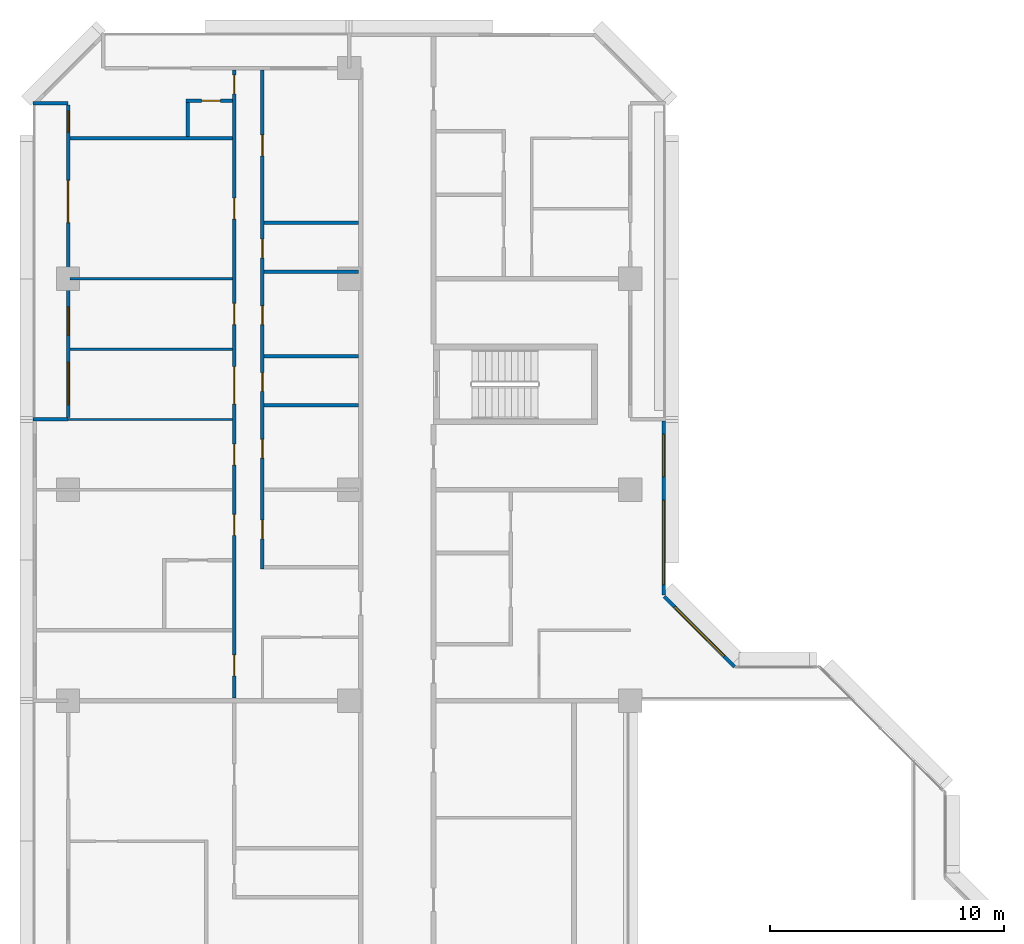
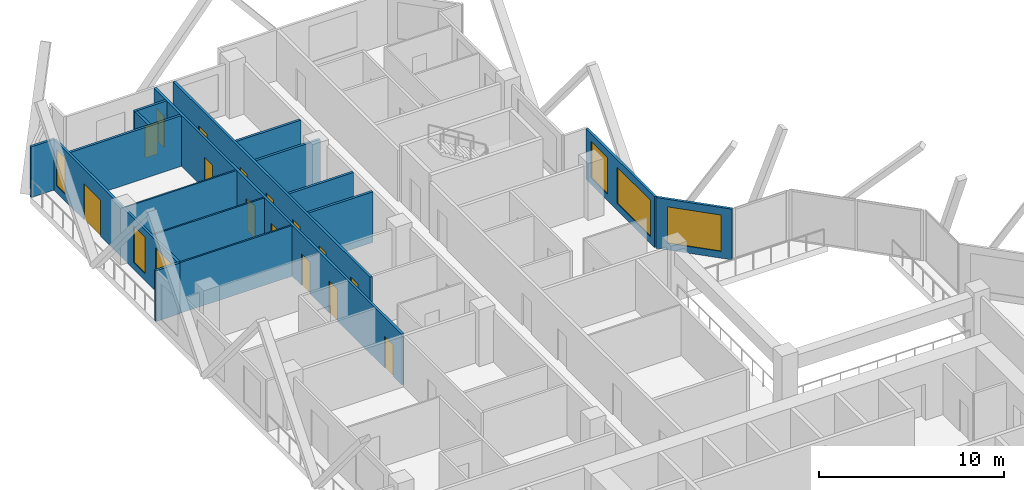
# One storey, part 10 of 15: 17 walls, 15 doors, 6 windows, 21 openings.
"""IFC4 building model written with IfcOpenShell, lengths in metres."""

from ifc_helpers import new_model, si_unit, direction, frame, frame_2d, origin, place, context, subcontext, project, spatial, rectangle, extrude, material, layer, layer_set, type_object, element, fill, save


model = new_model("IFC4")

# Units and contexts
model_context = context("Model", 3, precision=1e-05, world=origin(), true_north=direction((0.0, 1.0)))
body_context = subcontext(model_context, "Body", "Model", "MODEL_VIEW")
ifc_project = project(units=[si_unit("LENGTHUNIT", "METRE"), si_unit("AREAUNIT", "SQUARE_METRE"), si_unit("VOLUMEUNIT", "CUBIC_METRE"), si_unit("PLANEANGLEUNIT", "RADIAN"), si_unit("MASSUNIT", "GRAM", prefix="KILO")], contexts=[model_context])

# Site, building, storey
site_placement = place(None, origin())
site = spatial("IfcSite", under=ifc_project, at=site_placement, CompositionType="ELEMENT")
building_placement = place(site_placement, origin())
building = spatial("IfcBuilding", under=site, at=building_placement, Name="Chenar Terraces", CompositionType="ELEMENT")
storey_placement = place(building_placement, frame((0.0, 0.0, 121.89990234375)))
storey = spatial("IfcBuildingStorey", under=building, at=storey_placement, Name="L28", CompositionType="ELEMENT", Elevation=121.89990234375)

# Wall, openings, windows
ifc_material_1 = material(Name="Aluminium framed glazing", Category="aluminium")
ifc_layer_1 = layer(ifc_material_1, 0.14990234375)
ifc_layer_set_1 = layer_set([ifc_layer_1], Name="Aluminium framed glazing")
wall_type_1 = type_object("IfcWallType", Name="Glazed flush facade wall 150", PredefinedType="SOLIDWALL", material=ifc_layer_set_1)
wall_1_placement = place(storey_placement, frame((25.425048828125, 40.5, 0.0), z_axis=(0.0, 0.0, 1.0), x_axis=(0.0, 1.0, 0.0)))
wall_1 = element("IfcWall", 1, at=wall_1_placement, inside=storey, type_object=wall_type_1, Name="Glazed flush facade wall", PredefinedType="SOLIDWALL", context=body_context, shape_type="SweptSolid", body=[
    extrude(rectangle(XDim=7.425048828125, YDim=0.14990234375, at=frame_2d((3.71240234375, 0.0))), origin(), (0.0, 0.0, 1.0), 3.35009765625),
])
opening_1_placement = place(wall_1_placement, frame((0.449951171875, 0.0, 0.449951171875)))
opening_1 = element("IfcOpeningElement", 2, at=opening_1_placement, cuts=wall_1, Name="Opening W360x240", PredefinedType="OPENING", context=body_context, shape_type="SweptSolid", body=[
    extrude(rectangle(XDim=3.60009765625, YDim=2.39990234375, at=frame_2d((1.800048828125, 1.199951171875))), frame((0.0, 0.0849609375, 0.0), z_axis=(0.0, -1.0, 0.0), x_axis=(1.0, 0.0, 0.0)), (0.0, 0.0, 1.0), 0.169921875),
])
opening_2_placement = place(wall_1_placement, frame((5.0625, 0.0, 0.449951171875)))
opening_2 = element("IfcOpeningElement", 3, at=opening_2_placement, cuts=wall_1, Name="Opening W180x240", PredefinedType="OPENING", context=body_context, shape_type="SweptSolid", body=[
    extrude(rectangle(XDim=1.800048828125, YDim=2.39990234375, at=frame_2d((0.89990234375, 1.199951171875))), frame((0.0, 0.0849609375, 0.0), z_axis=(0.0, -1.0, 0.0), x_axis=(1.0, 0.0, 0.0)), (0.0, 0.0, 1.0), 0.169921875),
])
ifc_material_2 = material(Name="Low emissivity double glazing, aluminium frame", Category="aluminium")
window_type_1 = type_object("IfcWindowType", Name="Fixed light 1800 x 2400", PartitioningType="SINGLE_PANEL", PredefinedType="WINDOW", material=ifc_material_2)
window_1_placement = place(opening_2_placement, origin())
window_1 = element("IfcWindow", 4, at=window_1_placement, inside=storey, type_object=window_type_1, Name="Window", OverallHeight=2.39990234375, OverallWidth=1.800048828125, PartitioningType="SINGLE_PANEL", PredefinedType="WINDOW", context=body_context, shape_type="SweptSolid", body=[
    extrude(rectangle(XDim=1.800048828125, YDim=2.39990234375, at=frame_2d((0.89990234375, 1.199951171875))), frame((0.0, 0.030029296875, 0.0), z_axis=(0.0, -1.0, 0.0), x_axis=(1.0, 0.0, 0.0)), (0.0, 0.0, 1.0), 0.06005859375),
])
fill(opening_2, window_1)
ifc_material_3 = material(Name="Low emissivity double glazing, aluminium frame", Category="aluminium")
window_type_2 = type_object("IfcWindowType", Name="Fixed light 3600 x 2400", PartitioningType="SINGLE_PANEL", PredefinedType="WINDOW", material=ifc_material_3)
window_2_placement = place(opening_1_placement, origin())
window_2 = element("IfcWindow", 5, at=window_2_placement, inside=storey, type_object=window_type_2, Name="Window", OverallHeight=2.39990234375, OverallWidth=3.60009765625, PartitioningType="SINGLE_PANEL", PredefinedType="WINDOW", context=body_context, shape_type="SweptSolid", body=[
    extrude(rectangle(XDim=3.60009765625, YDim=2.39990234375, at=frame_2d((1.800048828125, 1.199951171875))), frame((0.0, 0.030029296875, 0.0), z_axis=(0.0, -1.0, 0.0), x_axis=(1.0, 0.0, 0.0)), (0.0, 0.0, 1.0), 0.06005859375),
])
fill(opening_1, window_2)

# Wall, openings, windows, door
ifc_material_4 = material(Name="Aluminium framed glazing", Category="aluminium")
ifc_layer_2 = layer(ifc_material_4, 0.14990234375)
ifc_layer_set_2 = layer_set([ifc_layer_2], Name="Aluminium framed glazing")
wall_type_2 = type_object("IfcWallType", Name="Glazed loggia back wall 150", PredefinedType="SOLIDWALL", material=ifc_layer_set_2)
wall_2_placement = place(storey_placement, frame((0.0, 61.425048828125, 0.0), z_axis=(0.0, 0.0, 1.0), x_axis=(0.0, -1.0, 0.0)))
wall_2 = element("IfcWall", 6, at=wall_2_placement, inside=storey, type_object=wall_type_2, Name="Glazed loggia back wall", PredefinedType="SOLIDWALL", context=body_context, shape_type="SweptSolid", body=[
    extrude(rectangle(XDim=13.35009765625, YDim=0.14990234375, at=frame_2d((6.675048828125, 0.0))), origin(), (0.0, 0.0, 1.0), 3.35009765625),
])
opening_3_placement = place(wall_2_placement, frame((0.262451171875, 0.0, 0.449951171875)))
opening_3 = element("IfcOpeningElement", 7, at=opening_3_placement, cuts=wall_2, Name="Opening W90x240", PredefinedType="OPENING", context=body_context, shape_type="SweptSolid", body=[
    extrude(rectangle(XDim=0.89990234375, YDim=2.39990234375, at=frame_2d((0.449951171875, 1.199951171875))), frame((0.0, 0.0849609375, 0.0), z_axis=(0.0, -1.0, 0.0), x_axis=(1.0, 0.0, 0.0)), (0.0, 0.0, 1.0), 0.169921875),
])
opening_4_placement = place(wall_2_placement, frame((3.22509765625, 0.0, 0.0)))
opening_4 = element("IfcOpeningElement", 8, at=opening_4_placement, cuts=wall_2, Name="Opening DL28-G4", PredefinedType="OPENING", context=body_context, shape_type="SweptSolid", body=[
    extrude(rectangle(XDim=1.800048828125, YDim=2.39990234375, at=frame_2d((0.89990234375, 1.199951171875))), frame((0.0, 0.0849609375, 0.0), z_axis=(0.0, -1.0, 0.0), x_axis=(1.0, 0.0, 0.0)), (0.0, 0.0, 1.0), 0.169921875),
])
opening_5_placement = place(wall_2_placement, frame((8.625, 0.0, 0.449951171875)))
opening_5 = element("IfcOpeningElement", 9, at=opening_5_placement, cuts=wall_2, Name="Opening W120x240", PredefinedType="OPENING", context=body_context, shape_type="SweptSolid", body=[
    extrude(rectangle(XDim=1.199951171875, YDim=2.39990234375, at=frame_2d((0.60009765625, 1.199951171875))), frame((0.0, 0.0849609375, 0.0), z_axis=(0.0, -1.0, 0.0), x_axis=(1.0, 0.0, 0.0)), (0.0, 0.0, 1.0), 0.169921875),
])
opening_6_placement = place(wall_2_placement, frame((10.987548828125, 0.0, 0.449951171875)))
opening_6 = element("IfcOpeningElement", 10, at=opening_6_placement, cuts=wall_2, Name="Opening W180x240", PredefinedType="OPENING", context=body_context, shape_type="SweptSolid", body=[
    extrude(rectangle(XDim=1.800048828125, YDim=2.39990234375, at=frame_2d((0.89990234375, 1.199951171875))), frame((0.0, 0.0849609375, 0.0), z_axis=(0.0, -1.0, 0.0), x_axis=(1.0, 0.0, 0.0)), (0.0, 0.0, 1.0), 0.169921875),
])
ifc_material_5 = material(Name="Low emissivity double glazing, aluminium frame", Category="aluminium")
window_type_3 = type_object("IfcWindowType", Name="Fixed light 1200 x 2400", PartitioningType="SINGLE_PANEL", PredefinedType="WINDOW", material=ifc_material_5)
window_3_placement = place(opening_5_placement, origin())
window_3 = element("IfcWindow", 11, at=window_3_placement, inside=storey, type_object=window_type_3, Name="Window", OverallHeight=2.39990234375, OverallWidth=1.199951171875, PartitioningType="SINGLE_PANEL", PredefinedType="WINDOW", context=body_context, shape_type="SweptSolid", body=[
    extrude(rectangle(XDim=1.199951171875, YDim=2.39990234375, at=frame_2d((0.60009765625, 1.199951171875))), frame((0.0, 0.030029296875, 0.0), z_axis=(0.0, -1.0, 0.0), x_axis=(1.0, 0.0, 0.0)), (0.0, 0.0, 1.0), 0.06005859375),
])
fill(opening_5, window_3)
window_4_placement = place(opening_6_placement, origin())
window_4 = element("IfcWindow", 12, at=window_4_placement, inside=storey, type_object=window_type_1, Name="Window", OverallHeight=2.39990234375, OverallWidth=1.800048828125, PartitioningType="SINGLE_PANEL", PredefinedType="WINDOW", context=body_context, shape_type="SweptSolid", body=[
    extrude(rectangle(XDim=1.800048828125, YDim=2.39990234375, at=frame_2d((0.89990234375, 1.199951171875))), frame((0.0, 0.030029296875, 0.0), z_axis=(0.0, -1.0, 0.0), x_axis=(1.0, 0.0, 0.0)), (0.0, 0.0, 1.0), 0.06005859375),
])
fill(opening_6, window_4)
ifc_material_6 = material(Name="Low emissivity double glazing, aluminium frame", Category="aluminium")
window_type_4 = type_object("IfcWindowType", Name="Fixed light 900 x 2400", PartitioningType="SINGLE_PANEL", PredefinedType="WINDOW", material=ifc_material_6)
window_5_placement = place(opening_3_placement, origin())
window_5 = element("IfcWindow", 13, at=window_5_placement, inside=storey, type_object=window_type_4, Name="Window", OverallHeight=2.39990234375, OverallWidth=0.89990234375, PartitioningType="SINGLE_PANEL", PredefinedType="WINDOW", context=body_context, shape_type="SweptSolid", body=[
    extrude(rectangle(XDim=0.89990234375, YDim=2.39990234375, at=frame_2d((0.449951171875, 1.199951171875))), frame((0.0, 0.030029296875, 0.0), z_axis=(0.0, -1.0, 0.0), x_axis=(1.0, 0.0, 0.0)), (0.0, 0.0, 1.0), 0.06005859375),
])
fill(opening_3, window_5)
ifc_material_7 = material(Name="Low emissivity double glazing, aluminium frame", Category="aluminium")
door_type_1 = type_object("IfcDoorType", Name="Loggia glazed double door 1800 x 2400", OperationType="DOUBLE_DOOR_SINGLE_SWING", PredefinedType="DOOR", material=ifc_material_7)
door_1_placement = place(opening_4_placement, frame((1.800048828125, 0.0, 0.0), z_axis=(0.0, 0.0, 1.0), x_axis=(-1.0, 0.0, 0.0)))
door_1 = element("IfcDoor", 14, at=door_1_placement, inside=storey, type_object=door_type_1, Name="Loggia glazed door", OperationType="DOUBLE_DOOR_SINGLE_SWING", OverallHeight=2.39990234375, OverallWidth=1.800048828125, PredefinedType="DOOR", context=body_context, shape_type="SweptSolid", body=[
    extrude(rectangle(XDim=1.800048828125, YDim=2.39990234375, at=frame_2d((0.89990234375, 1.199951171875))), frame((0.0, 0.02490234375, 0.0), z_axis=(0.0, -1.0, 0.0), x_axis=(1.0, 0.0, 0.0)), (0.0, 0.0, 1.0), 0.050048828125),
])
fill(opening_4, door_1)

# Walls
ifc_material_8 = material(Name="Gypsum board on steel studs", Category="steel")
ifc_layer_3 = layer(ifc_material_8, 0.10009765625)
ifc_layer_set_3 = layer_set([ifc_layer_3], Name="Gypsum board on steel studs")
wall_type_3 = type_object("IfcWallType", Name="Gypsum partition 100", PredefinedType="PARTITIONING", material=ifc_layer_set_3)
wall_3_placement = place(storey_placement, frame((0.0, 48.0, 0.0), z_axis=(0.0, 0.0, 1.0), x_axis=(1.0, 0.0, 0.0)))
element("IfcWall", 15, at=wall_3_placement, inside=storey, type_object=wall_type_3, Name="Partition L28-006", PredefinedType="PARTITIONING", context=body_context, shape_type="SweptSolid", body=[
    extrude(rectangle(XDim=7.02490234375, YDim=0.10009765625, at=frame_2d((3.512451171875, 0.0))), origin(), (0.0, 0.0, 1.0), 3.35009765625),
])
for number, where, z_axis, x_axis, name in (
    (16, (0.073974609375, 51.0, 0.0), (0.0, 0.0, 1.0), (1.0, 0.0, 0.0), "Partition L28-008"),
    (17, (0.073974609375, 54.0, 0.0), (0.0, 0.0, 1.0), (1.0, 0.0, 0.0), "Partition L28-009"),
):
    element("IfcWall", number, at=place(storey_placement, frame(where, z_axis=z_axis, x_axis=x_axis)), inside=storey, type_object=wall_type_3, Name=name, PredefinedType="PARTITIONING", context=body_context, shape_type="SweptSolid", body=[
        extrude(rectangle(XDim=6.950927734375, YDim=0.10009765625, at=frame_2d((3.4755859375, 0.0))), origin(), (0.0, 0.0, 1.0), 3.35009765625),
    ])
ifc_material_9 = material(Name="Terracotta cladding on insulated backing", Category="masonry")
ifc_layer_4 = layer(ifc_material_9, 0.14990234375)
ifc_layer_set_4 = layer_set([ifc_layer_4], Name="Terracotta cladding on insulated backing")
wall_type_4 = type_object("IfcWallType", Name="Loggia return wall 150", PredefinedType="SOLIDWALL", material=ifc_layer_set_4)
for number, where, z_axis, x_axis, name in (
    (18, (-1.5, 61.5, 0.0), (0.0, 0.0, 1.0), (1.0, 0.0, 0.0), "Loggia return wall"),
    (19, (-1.5, 48.0, 0.0), (0.0, 0.0, 1.0), (1.0, 0.0, 0.0), "Loggia return wall"),
):
    element("IfcWall", number, at=place(storey_placement, frame(where, z_axis=z_axis, x_axis=x_axis)), inside=storey, type_object=wall_type_4, Name=name, PredefinedType="SOLIDWALL", context=body_context, shape_type="SweptSolid", body=[
        extrude(rectangle(XDim=1.5, YDim=0.14990234375, at=frame_2d((0.75, 0.0))), origin(), (0.0, 0.0, 1.0), 3.35009765625),
    ])

# Wall, opening, window
ifc_material_10 = material(Name="Terracotta cladding on insulated backing", Category="masonry")
ifc_layer_5 = layer(ifc_material_10, 0.14990234375)
ifc_layer_set_5 = layer_set([ifc_layer_5], Name="Terracotta cladding on insulated backing")
wall_type_5 = type_object("IfcWallType", Name="Terracotta rainscreen wall 150", PredefinedType="SOLIDWALL", material=ifc_layer_set_5)
wall_4_placement = place(storey_placement, frame((28.447021484375, 37.447021484375, 0.0), z_axis=(0.0, 0.0, 1.0), x_axis=(-0.707106781187, 0.707106781187, 0.0)))
wall_4 = element("IfcWall", 20, at=wall_4_placement, inside=storey, type_object=wall_type_5, Name="Terracotta rainscreen wall", PredefinedType="SOLIDWALL", context=body_context, shape_type="SweptSolid", body=[
    extrude(rectangle(XDim=4.24267578125, YDim=0.14990234375, at=frame_2d((2.121337890625, 0.0))), origin(), (0.0, 0.0, 1.0), 3.35009765625),
])
opening_7_placement = place(wall_4_placement, frame((0.621337890625, 0.0, 0.449951171875)))
opening_7 = element("IfcOpeningElement", 21, at=opening_7_placement, cuts=wall_4, Name="Opening W300x240", PredefinedType="OPENING", context=body_context, shape_type="SweptSolid", body=[
    extrude(rectangle(XDim=3.0, YDim=2.39990234375, at=frame_2d((1.5, 1.199951171875))), frame((0.0, 0.0849609375, 0.0), z_axis=(0.0, -1.0, 0.0), x_axis=(1.0, 0.0, 0.0)), (0.0, 0.0, 1.0), 0.169921875),
])
ifc_material_11 = material(Name="Low emissivity double glazing, aluminium frame", Category="aluminium")
window_type_5 = type_object("IfcWindowType", Name="Fixed light 3000 x 2400", PartitioningType="SINGLE_PANEL", PredefinedType="WINDOW", material=ifc_material_11)
window_6_placement = place(opening_7_placement, origin())
window_6 = element("IfcWindow", 22, at=window_6_placement, inside=storey, type_object=window_type_5, Name="Window", OverallHeight=2.39990234375, OverallWidth=3.0, PartitioningType="SINGLE_PANEL", PredefinedType="WINDOW", context=body_context, shape_type="SweptSolid", body=[
    extrude(rectangle(XDim=3.0, YDim=2.39990234375, at=frame_2d((1.5, 1.199951171875))), frame((0.0, 0.030029296875, 0.0), z_axis=(0.0, -1.0, 0.0), x_axis=(1.0, 0.0, 0.0)), (0.0, 0.0, 1.0), 0.06005859375),
])
fill(opening_7, window_6)

# Wall
ifc_material_12 = material(Name="Moisture-resistant gypsum board on steel studs", Category="steel")
ifc_layer_6 = layer(ifc_material_12, 0.14990234375)
ifc_layer_set_6 = layer_set([ifc_layer_6], Name="Moisture-resistant gypsum board on steel studs")
wall_type_6 = type_object("IfcWallType", Name="Wet-room partition 150", PredefinedType="PARTITIONING", material=ifc_layer_set_6)
wall_5_placement = place(storey_placement, frame((0.073974609375, 60.0, 0.0), z_axis=(0.0, 0.0, 1.0), x_axis=(1.0, 0.0, 0.0)))
element("IfcWall", 23, at=wall_5_placement, inside=storey, type_object=wall_type_6, Name="Partition L28-010", PredefinedType="PARTITIONING", context=body_context, shape_type="SweptSolid", body=[
    extrude(rectangle(XDim=6.950927734375, YDim=0.14990234375, at=frame_2d((3.4755859375, 0.0))), origin(), (0.0, 0.0, 1.0), 3.35009765625),
])

# Wall, opening, door
wall_6_placement = place(storey_placement, frame((5.02490234375, 61.60009765625, 0.0), z_axis=(0.0, 0.0, 1.0), x_axis=(1.0, 0.0, 0.0)))
wall_6 = element("IfcWall", 24, at=wall_6_placement, inside=storey, type_object=wall_type_6, Name="Partition L28-016", PredefinedType="PARTITIONING", context=body_context, shape_type="SweptSolid", body=[
    extrude(rectangle(XDim=2.0, YDim=0.14990234375, at=frame_2d((1.0, 0.0))), origin(), (0.0, 0.0, 1.0), 3.35009765625),
])
opening_8_placement = place(wall_6_placement, frame((0.675048828125, 0.0, 0.0)))
opening_8 = element("IfcOpeningElement", 25, at=opening_8_placement, cuts=wall_6, Name="Opening DL28-42", PredefinedType="OPENING", context=body_context, shape_type="SweptSolid", body=[
    extrude(rectangle(XDim=0.800048828125, YDim=2.10009765625, at=frame_2d((0.39990234375, 1.050048828125))), frame((0.0, 0.0849609375, 0.0), z_axis=(0.0, -1.0, 0.0), x_axis=(1.0, 0.0, 0.0)), (0.0, 0.0, 1.0), 0.169921875),
])
ifc_material_13 = material(Name="Veneered timber door leaf", Category="wood")
door_type_2 = type_object("IfcDoorType", Name="Door 800 x 2100", OperationType="SINGLE_SWING_LEFT", PredefinedType="DOOR", material=ifc_material_13)
door_2_placement = place(opening_8_placement, frame((0.800048828125, 0.0, 0.0), z_axis=(0.0, 0.0, 1.0), x_axis=(-1.0, 0.0, 0.0)))
door_2 = element("IfcDoor", 26, at=door_2_placement, inside=storey, type_object=door_type_2, Name="Door DL28-42", OperationType="SINGLE_SWING_RIGHT", OverallHeight=2.10009765625, OverallWidth=0.800048828125, PredefinedType="DOOR", context=body_context, shape_type="SweptSolid", body=[
    extrude(rectangle(XDim=0.800048828125, YDim=2.10009765625, at=frame_2d((0.39990234375, 1.050048828125))), frame((0.0, 0.02490234375, 0.0), z_axis=(0.0, -1.0, 0.0), x_axis=(1.0, 0.0, 0.0)), (0.0, 0.0, 1.0), 0.050048828125),
])
fill(opening_8, door_2)

# Wall
wall_7_placement = place(storey_placement, frame((5.10009765625, 60.074951171875, 0.0), z_axis=(0.0, 0.0, 1.0), x_axis=(0.0, 1.0, 0.0)))
element("IfcWall", 27, at=wall_7_placement, inside=storey, type_object=wall_type_6, Name="Partition L28-017", PredefinedType="PARTITIONING", context=body_context, shape_type="SweptSolid", body=[
    extrude(rectangle(XDim=1.449951171875, YDim=0.14990234375, at=frame_2d((0.72509765625, 0.0))), origin(), (0.0, 0.0, 1.0), 3.35009765625),
])

# Wall, openings, doors
wall_8_placement = place(storey_placement, frame((7.10009765625, 36.10009765625, 0.0), z_axis=(0.0, 0.0, 1.0), x_axis=(0.0, 1.0, 0.0)))
wall_8 = element("IfcWall", 28, at=wall_8_placement, inside=storey, type_object=wall_type_6, Name="Partition L28-020", PredefinedType="PARTITIONING", context=body_context, shape_type="SweptSolid", body=[
    extrude(rectangle(XDim=26.825927734375, YDim=0.14990234375, at=frame_2d((13.4130859375, 0.0))), origin(), (0.0, 0.0, 1.0), 3.35009765625),
])
opening_9_placement = place(wall_8_placement, frame((0.949951171875, 0.0, 0.0)))
opening_9 = element("IfcOpeningElement", 29, at=opening_9_placement, cuts=wall_8, Name="Opening DL28-33", PredefinedType="OPENING", context=body_context, shape_type="SweptSolid", body=[
    extrude(rectangle(XDim=0.89990234375, YDim=2.10009765625, at=frame_2d((0.449951171875, 1.050048828125))), frame((0.0, 0.0849609375, 0.0), z_axis=(0.0, -1.0, 0.0), x_axis=(1.0, 0.0, 0.0)), (0.0, 0.0, 1.0), 0.169921875),
])
opening_10_placement = place(wall_8_placement, frame((9.949951171875, 0.0, 0.0)))
opening_10 = element("IfcOpeningElement", 30, at=opening_10_placement, cuts=wall_8, Name="Opening DL28-34", PredefinedType="OPENING", context=body_context, shape_type="SweptSolid", body=[
    extrude(rectangle(XDim=0.89990234375, YDim=2.10009765625, at=frame_2d((0.449951171875, 1.050048828125))), frame((0.0, 0.0849609375, 0.0), z_axis=(0.0, -1.0, 0.0), x_axis=(1.0, 0.0, 0.0)), (0.0, 0.0, 1.0), 0.169921875),
])
opening_11_placement = place(wall_8_placement, frame((6.949951171875, 0.0, 0.0)))
opening_11 = element("IfcOpeningElement", 31, at=opening_11_placement, cuts=wall_8, Name="Opening DL28-35", PredefinedType="OPENING", context=body_context, shape_type="SweptSolid", body=[
    extrude(rectangle(XDim=0.89990234375, YDim=2.10009765625, at=frame_2d((0.449951171875, 1.050048828125))), frame((0.0, 0.0849609375, 0.0), z_axis=(0.0, -1.0, 0.0), x_axis=(1.0, 0.0, 0.0)), (0.0, 0.0, 1.0), 0.169921875),
])
opening_12_placement = place(wall_8_placement, frame((20.449951171875, 0.0, 0.0)))
opening_12 = element("IfcOpeningElement", 32, at=opening_12_placement, cuts=wall_8, Name="Opening DL28-40", PredefinedType="OPENING", context=body_context, shape_type="SweptSolid", body=[
    extrude(rectangle(XDim=0.89990234375, YDim=2.10009765625, at=frame_2d((0.449951171875, 1.050048828125))), frame((0.0, 0.0849609375, 0.0), z_axis=(0.0, -1.0, 0.0), x_axis=(1.0, 0.0, 0.0)), (0.0, 0.0, 1.0), 0.169921875),
])
opening_13_placement = place(wall_8_placement, frame((25.800048828125, 0.0, 0.0)))
opening_13 = element("IfcOpeningElement", 33, at=opening_13_placement, cuts=wall_8, Name="Opening DL28-41", PredefinedType="OPENING", context=body_context, shape_type="SweptSolid", body=[
    extrude(rectangle(XDim=0.800048828125, YDim=2.10009765625, at=frame_2d((0.39990234375, 1.050048828125))), frame((0.0, 0.0849609375, 0.0), z_axis=(0.0, -1.0, 0.0), x_axis=(1.0, 0.0, 0.0)), (0.0, 0.0, 1.0), 0.169921875),
])
opening_14_placement = place(wall_8_placement, frame((12.550048828125, 0.0, 0.0)))
opening_14 = element("IfcOpeningElement", 34, at=opening_14_placement, cuts=wall_8, Name="Opening DL28-43", PredefinedType="OPENING", context=body_context, shape_type="SweptSolid", body=[
    extrude(rectangle(XDim=1.60009765625, YDim=2.10009765625, at=frame_2d((0.800048828125, 1.050048828125))), frame((0.0, 0.0849609375, 0.0), z_axis=(0.0, -1.0, 0.0), x_axis=(1.0, 0.0, 0.0)), (0.0, 0.0, 1.0), 0.169921875),
])
opening_15_placement = place(wall_8_placement, frame((15.949951171875, 0.0, 0.0)))
opening_15 = element("IfcOpeningElement", 35, at=opening_15_placement, cuts=wall_8, Name="Opening DL28-45", PredefinedType="OPENING", context=body_context, shape_type="SweptSolid", body=[
    extrude(rectangle(XDim=0.89990234375, YDim=2.10009765625, at=frame_2d((0.449951171875, 1.050048828125))), frame((0.0, 0.0849609375, 0.0), z_axis=(0.0, -1.0, 0.0), x_axis=(1.0, 0.0, 0.0)), (0.0, 0.0, 1.0), 0.169921875),
])
door_3_placement = place(opening_13_placement, origin())
door_3 = element("IfcDoor", 36, at=door_3_placement, inside=storey, type_object=door_type_2, Name="Door DL28-41", OperationType="SINGLE_SWING_RIGHT", OverallHeight=2.10009765625, OverallWidth=0.800048828125, PredefinedType="DOOR", context=body_context, shape_type="SweptSolid", body=[
    extrude(rectangle(XDim=0.800048828125, YDim=2.10009765625, at=frame_2d((0.39990234375, 1.050048828125))), frame((0.0, 0.02490234375, 0.0), z_axis=(0.0, -1.0, 0.0), x_axis=(1.0, 0.0, 0.0)), (0.0, 0.0, 1.0), 0.050048828125),
])
fill(opening_13, door_3)
ifc_material_14 = material(Name="Veneered timber door leaf", Category="wood")
door_type_3 = type_object("IfcDoorType", Name="Door 900 x 2100", OperationType="SINGLE_SWING_LEFT", PredefinedType="DOOR", material=ifc_material_14)
door_4_placement = place(opening_9_placement, origin())
door_4 = element("IfcDoor", 37, at=door_4_placement, inside=storey, type_object=door_type_3, Name="Door DL28-33", OperationType="SINGLE_SWING_RIGHT", OverallHeight=2.10009765625, OverallWidth=0.89990234375, PredefinedType="DOOR", context=body_context, shape_type="SweptSolid", body=[
    extrude(rectangle(XDim=0.89990234375, YDim=2.10009765625, at=frame_2d((0.449951171875, 1.050048828125))), frame((0.0, 0.02490234375, 0.0), z_axis=(0.0, -1.0, 0.0), x_axis=(1.0, 0.0, 0.0)), (0.0, 0.0, 1.0), 0.050048828125),
])
fill(opening_9, door_4)
door_5_placement = place(opening_10_placement, origin())
door_5 = element("IfcDoor", 38, at=door_5_placement, inside=storey, type_object=door_type_3, Name="Door DL28-34", OperationType="SINGLE_SWING_RIGHT", OverallHeight=2.10009765625, OverallWidth=0.89990234375, PredefinedType="DOOR", context=body_context, shape_type="SweptSolid", body=[
    extrude(rectangle(XDim=0.89990234375, YDim=2.10009765625, at=frame_2d((0.449951171875, 1.050048828125))), frame((0.0, 0.02490234375, 0.0), z_axis=(0.0, -1.0, 0.0), x_axis=(1.0, 0.0, 0.0)), (0.0, 0.0, 1.0), 0.050048828125),
])
fill(opening_10, door_5)
door_6_placement = place(opening_11_placement, origin())
door_6 = element("IfcDoor", 39, at=door_6_placement, inside=storey, type_object=door_type_3, Name="Door DL28-35", OperationType="SINGLE_SWING_RIGHT", OverallHeight=2.10009765625, OverallWidth=0.89990234375, PredefinedType="DOOR", context=body_context, shape_type="SweptSolid", body=[
    extrude(rectangle(XDim=0.89990234375, YDim=2.10009765625, at=frame_2d((0.449951171875, 1.050048828125))), frame((0.0, 0.02490234375, 0.0), z_axis=(0.0, -1.0, 0.0), x_axis=(1.0, 0.0, 0.0)), (0.0, 0.0, 1.0), 0.050048828125),
])
fill(opening_11, door_6)
door_7_placement = place(opening_12_placement, origin())
door_7 = element("IfcDoor", 40, at=door_7_placement, inside=storey, type_object=door_type_3, Name="Door DL28-40", OperationType="SINGLE_SWING_RIGHT", OverallHeight=2.10009765625, OverallWidth=0.89990234375, PredefinedType="DOOR", context=body_context, shape_type="SweptSolid", body=[
    extrude(rectangle(XDim=0.89990234375, YDim=2.10009765625, at=frame_2d((0.449951171875, 1.050048828125))), frame((0.0, 0.02490234375, 0.0), z_axis=(0.0, -1.0, 0.0), x_axis=(1.0, 0.0, 0.0)), (0.0, 0.0, 1.0), 0.050048828125),
])
fill(opening_12, door_7)
door_8_placement = place(opening_15_placement, origin())
door_8 = element("IfcDoor", 41, at=door_8_placement, inside=storey, type_object=door_type_3, Name="Door DL28-45", OperationType="SINGLE_SWING_RIGHT", OverallHeight=2.10009765625, OverallWidth=0.89990234375, PredefinedType="DOOR", context=body_context, shape_type="SweptSolid", body=[
    extrude(rectangle(XDim=0.89990234375, YDim=2.10009765625, at=frame_2d((0.449951171875, 1.050048828125))), frame((0.0, 0.02490234375, 0.0), z_axis=(0.0, -1.0, 0.0), x_axis=(1.0, 0.0, 0.0)), (0.0, 0.0, 1.0), 0.050048828125),
])
fill(opening_15, door_8)
ifc_material_15 = material(Name="Veneered timber door leaf", Category="wood")
door_type_4 = type_object("IfcDoorType", Name="Double door 1600 x 2100", OperationType="DOUBLE_DOOR_SINGLE_SWING", PredefinedType="DOOR", material=ifc_material_15)
door_9_placement = place(opening_14_placement, origin())
door_9 = element("IfcDoor", 42, at=door_9_placement, inside=storey, type_object=door_type_4, Name="Door DL28-43", OperationType="DOUBLE_DOOR_SINGLE_SWING", OverallHeight=2.10009765625, OverallWidth=1.60009765625, PredefinedType="DOOR", context=body_context, shape_type="SweptSolid", body=[
    extrude(rectangle(XDim=1.60009765625, YDim=2.10009765625, at=frame_2d((0.800048828125, 1.050048828125))), frame((0.0, 0.02490234375, 0.0), z_axis=(0.0, -1.0, 0.0), x_axis=(1.0, 0.0, 0.0)), (0.0, 0.0, 1.0), 0.050048828125),
])
fill(opening_14, door_9)

wall_9_placement = place(storey_placement, frame((8.300048828125, 41.625, 0.0), z_axis=(0.0, 0.0, 1.0), x_axis=(0.0, 1.0, 0.0)))
wall_9 = element("IfcWall", 43, at=wall_9_placement, inside=storey, type_object=wall_type_6, Name="Partition L28-025", PredefinedType="PARTITIONING", context=body_context, shape_type="SweptSolid", body=[
    extrude(rectangle(XDim=21.301025390625, YDim=0.14990234375, at=frame_2d((10.650390625, 0.0))), origin(), (0.0, 0.0, 1.0), 3.35009765625),
])
opening_16_placement = place(wall_9_placement, frame((4.72509765625, 0.0, 0.0)))
opening_16 = element("IfcOpeningElement", 44, at=opening_16_placement, cuts=wall_9, Name="Opening DL28-32", PredefinedType="OPENING", context=body_context, shape_type="SweptSolid", body=[
    extrude(rectangle(XDim=0.800048828125, YDim=2.10009765625, at=frame_2d((0.39990234375, 1.050048828125))), frame((0.0, 0.0849609375, 0.0), z_axis=(0.0, -1.0, 0.0), x_axis=(1.0, 0.0, 0.0)), (0.0, 0.0, 1.0), 0.169921875),
])
opening_17_placement = place(wall_9_placement, frame((17.625, 0.0, 0.0)))
opening_17 = element("IfcOpeningElement", 45, at=opening_17_placement, cuts=wall_9, Name="Opening DL28-38", PredefinedType="OPENING", context=body_context, shape_type="SweptSolid", body=[
    extrude(rectangle(XDim=0.89990234375, YDim=2.10009765625, at=frame_2d((0.449951171875, 1.050048828125))), frame((0.0, 0.0849609375, 0.0), z_axis=(0.0, -1.0, 0.0), x_axis=(1.0, 0.0, 0.0)), (0.0, 0.0, 1.0), 0.169921875),
])
opening_18_placement = place(wall_9_placement, frame((1.27490234375, 0.0, 0.0)))
opening_18 = element("IfcOpeningElement", 46, at=opening_18_placement, cuts=wall_9, Name="Opening DL28-39", PredefinedType="OPENING", context=body_context, shape_type="SweptSolid", body=[
    extrude(rectangle(XDim=0.800048828125, YDim=2.10009765625, at=frame_2d((0.39990234375, 1.050048828125))), frame((0.0, 0.0849609375, 0.0), z_axis=(0.0, -1.0, 0.0), x_axis=(1.0, 0.0, 0.0)), (0.0, 0.0, 1.0), 0.169921875),
])
opening_19_placement = place(wall_9_placement, frame((7.574951171875, 0.0, 0.0)))
opening_19 = element("IfcOpeningElement", 47, at=opening_19_placement, cuts=wall_9, Name="Opening DL28-46", PredefinedType="OPENING", context=body_context, shape_type="SweptSolid", body=[
    extrude(rectangle(XDim=0.800048828125, YDim=2.10009765625, at=frame_2d((0.39990234375, 1.050048828125))), frame((0.0, 0.0849609375, 0.0), z_axis=(0.0, -1.0, 0.0), x_axis=(1.0, 0.0, 0.0)), (0.0, 0.0, 1.0), 0.169921875),
])
opening_20_placement = place(wall_9_placement, frame((10.425048828125, 0.0, 0.0)))
opening_20 = element("IfcOpeningElement", 48, at=opening_20_placement, cuts=wall_9, Name="Opening DL28-47", PredefinedType="OPENING", context=body_context, shape_type="SweptSolid", body=[
    extrude(rectangle(XDim=0.800048828125, YDim=2.10009765625, at=frame_2d((0.39990234375, 1.050048828125))), frame((0.0, 0.0849609375, 0.0), z_axis=(0.0, -1.0, 0.0), x_axis=(1.0, 0.0, 0.0)), (0.0, 0.0, 1.0), 0.169921875),
])
opening_21_placement = place(wall_9_placement, frame((13.27490234375, 0.0, 0.0)))
opening_21 = element("IfcOpeningElement", 49, at=opening_21_placement, cuts=wall_9, Name="Opening DL28-48", PredefinedType="OPENING", context=body_context, shape_type="SweptSolid", body=[
    extrude(rectangle(XDim=0.800048828125, YDim=2.10009765625, at=frame_2d((0.39990234375, 1.050048828125))), frame((0.0, 0.0849609375, 0.0), z_axis=(0.0, -1.0, 0.0), x_axis=(1.0, 0.0, 0.0)), (0.0, 0.0, 1.0), 0.169921875),
])
door_10_placement = place(opening_16_placement, frame((0.800048828125, 0.0, 0.0), z_axis=(0.0, 0.0, 1.0), x_axis=(-1.0, 0.0, 0.0)))
door_10 = element("IfcDoor", 50, at=door_10_placement, inside=storey, type_object=door_type_2, Name="Door DL28-32", OperationType="SINGLE_SWING_RIGHT", OverallHeight=2.10009765625, OverallWidth=0.800048828125, PredefinedType="DOOR", context=body_context, shape_type="SweptSolid", body=[
    extrude(rectangle(XDim=0.800048828125, YDim=2.10009765625, at=frame_2d((0.39990234375, 1.050048828125))), frame((0.0, 0.02490234375, 0.0), z_axis=(0.0, -1.0, 0.0), x_axis=(1.0, 0.0, 0.0)), (0.0, 0.0, 1.0), 0.050048828125),
])
fill(opening_16, door_10)
door_11_placement = place(opening_18_placement, frame((0.800048828125, 0.0, 0.0), z_axis=(0.0, 0.0, 1.0), x_axis=(-1.0, 0.0, 0.0)))
door_11 = element("IfcDoor", 51, at=door_11_placement, inside=storey, type_object=door_type_2, Name="Door DL28-39", OperationType="SINGLE_SWING_RIGHT", OverallHeight=2.10009765625, OverallWidth=0.800048828125, PredefinedType="DOOR", context=body_context, shape_type="SweptSolid", body=[
    extrude(rectangle(XDim=0.800048828125, YDim=2.10009765625, at=frame_2d((0.39990234375, 1.050048828125))), frame((0.0, 0.02490234375, 0.0), z_axis=(0.0, -1.0, 0.0), x_axis=(1.0, 0.0, 0.0)), (0.0, 0.0, 1.0), 0.050048828125),
])
fill(opening_18, door_11)
door_12_placement = place(opening_19_placement, frame((0.800048828125, 0.0, 0.0), z_axis=(0.0, 0.0, 1.0), x_axis=(-1.0, 0.0, 0.0)))
door_12 = element("IfcDoor", 52, at=door_12_placement, inside=storey, type_object=door_type_2, Name="Door DL28-46", OperationType="SINGLE_SWING_RIGHT", OverallHeight=2.10009765625, OverallWidth=0.800048828125, PredefinedType="DOOR", context=body_context, shape_type="SweptSolid", body=[
    extrude(rectangle(XDim=0.800048828125, YDim=2.10009765625, at=frame_2d((0.39990234375, 1.050048828125))), frame((0.0, 0.02490234375, 0.0), z_axis=(0.0, -1.0, 0.0), x_axis=(1.0, 0.0, 0.0)), (0.0, 0.0, 1.0), 0.050048828125),
])
fill(opening_19, door_12)
door_13_placement = place(opening_20_placement, frame((0.800048828125, 0.0, 0.0), z_axis=(0.0, 0.0, 1.0), x_axis=(-1.0, 0.0, 0.0)))
door_13 = element("IfcDoor", 53, at=door_13_placement, inside=storey, type_object=door_type_2, Name="Door DL28-47", OperationType="SINGLE_SWING_RIGHT", OverallHeight=2.10009765625, OverallWidth=0.800048828125, PredefinedType="DOOR", context=body_context, shape_type="SweptSolid", body=[
    extrude(rectangle(XDim=0.800048828125, YDim=2.10009765625, at=frame_2d((0.39990234375, 1.050048828125))), frame((0.0, 0.02490234375, 0.0), z_axis=(0.0, -1.0, 0.0), x_axis=(1.0, 0.0, 0.0)), (0.0, 0.0, 1.0), 0.050048828125),
])
fill(opening_20, door_13)
door_14_placement = place(opening_21_placement, frame((0.800048828125, 0.0, 0.0), z_axis=(0.0, 0.0, 1.0), x_axis=(-1.0, 0.0, 0.0)))
door_14 = element("IfcDoor", 54, at=door_14_placement, inside=storey, type_object=door_type_2, Name="Door DL28-48", OperationType="SINGLE_SWING_RIGHT", OverallHeight=2.10009765625, OverallWidth=0.800048828125, PredefinedType="DOOR", context=body_context, shape_type="SweptSolid", body=[
    extrude(rectangle(XDim=0.800048828125, YDim=2.10009765625, at=frame_2d((0.39990234375, 1.050048828125))), frame((0.0, 0.02490234375, 0.0), z_axis=(0.0, -1.0, 0.0), x_axis=(1.0, 0.0, 0.0)), (0.0, 0.0, 1.0), 0.050048828125),
])
fill(opening_21, door_14)
door_15_placement = place(opening_17_placement, frame((0.89990234375, 0.0, 0.0), z_axis=(0.0, 0.0, 1.0), x_axis=(-1.0, 0.0, 0.0)))
door_15 = element("IfcDoor", 55, at=door_15_placement, inside=storey, type_object=door_type_3, Name="Door DL28-38", OperationType="SINGLE_SWING_LEFT", OverallHeight=2.10009765625, OverallWidth=0.89990234375, PredefinedType="DOOR", context=body_context, shape_type="SweptSolid", body=[
    extrude(rectangle(XDim=0.89990234375, YDim=2.10009765625, at=frame_2d((0.449951171875, 1.050048828125))), frame((0.0, 0.02490234375, 0.0), z_axis=(0.0, -1.0, 0.0), x_axis=(1.0, 0.0, 0.0)), (0.0, 0.0, 1.0), 0.050048828125),
])
fill(opening_17, door_15)

# Walls
for number, where, z_axis, x_axis, name in (
    (56, (8.375, 48.60009765625, 0.0), (0.0, 0.0, 1.0), (1.0, 0.0, 0.0), "Partition L28-028"),
    (57, (8.375, 50.699951171875, 0.0), (0.0, 0.0, 1.0), (1.0, 0.0, 0.0), "Partition L28-029"),
    (58, (8.375, 54.300048828125, 0.0), (0.0, 0.0, 1.0), (1.0, 0.0, 0.0), "Partition L28-030"),
    (59, (8.375, 56.39990234375, 0.0), (0.0, 0.0, 1.0), (1.0, 0.0, 0.0), "Partition L28-031"),
):
    element("IfcWall", number, at=place(storey_placement, frame(where, z_axis=z_axis, x_axis=x_axis)), inside=storey, type_object=wall_type_6, Name=name, PredefinedType="PARTITIONING", context=body_context, shape_type="SweptSolid", body=[
        extrude(rectangle(XDim=4.02490234375, YDim=0.14990234375, at=frame_2d((2.012451171875, 0.0))), origin(), (0.0, 0.0, 1.0), 3.35009765625),
    ])

save(model, "model.ifc")
